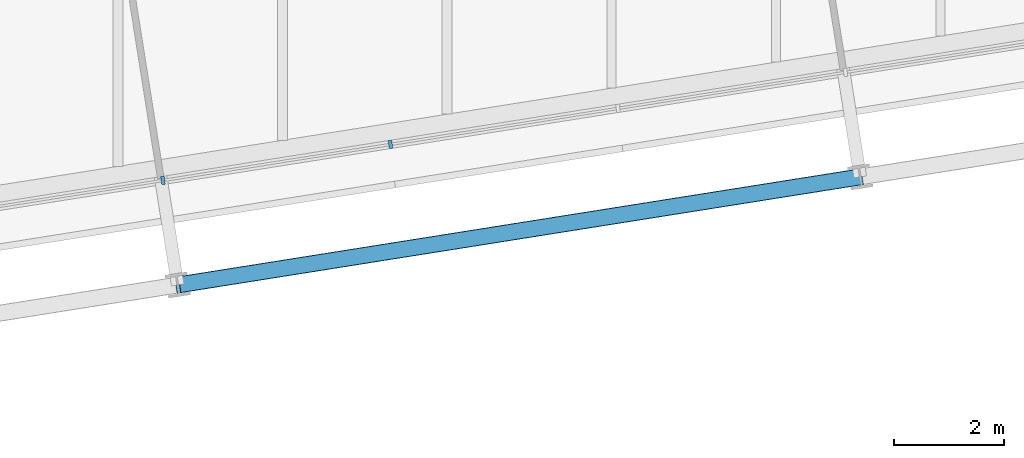
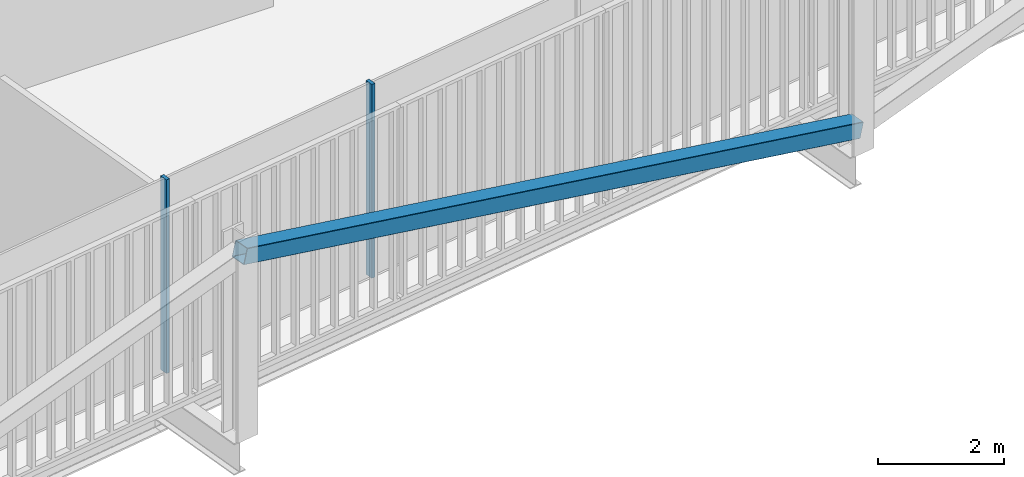
# One storey, part 3 of 21: 3 members, 1 element without a shape of its own.
"""IFC4 building model written with IfcOpenShell, lengths in metres."""

from ifc_helpers import new_model, si_unit, direction, frame, origin, origin_2d, place, context, subcontext, project, spatial, rectangle, hollow_rectangle, extrude, material, layer, layer_set, material_profile, profile_set, type_object, element, aggregate, save


model = new_model("IFC4")

# Units and contexts
model_context = context("Model", 3, precision=1e-05, world=origin(), true_north=direction((0.0, 1.0)))
body_context = subcontext(model_context, "Body", "Model", "MODEL_VIEW")
ifc_project = project(units=[si_unit("LENGTHUNIT", "METRE"), si_unit("AREAUNIT", "SQUARE_METRE"), si_unit("VOLUMEUNIT", "CUBIC_METRE"), si_unit("PLANEANGLEUNIT", "RADIAN"), si_unit("MASSUNIT", "GRAM", prefix="KILO")], contexts=[model_context])

# Site, building, storey
site_placement = place(None, origin())
site = spatial("IfcSite", under=ifc_project, at=site_placement, CompositionType="ELEMENT")
building_placement = place(site_placement, origin())
building = spatial("IfcBuilding", under=site, at=building_placement, Name="Millrace Tower", CompositionType="ELEMENT")
storey_placement = place(building_placement, frame((0.0, 0.0, 263.0)))
storey = spatial("IfcBuildingStorey", under=building, at=storey_placement, Name="L60", CompositionType="ELEMENT", Elevation=263.0)

# Curtain wall, members
ifc_material_1 = material(Name="Aluminium and glass", Category="aluminium")
ifc_layer = layer(ifc_material_1, 0.14990234375)
ifc_layer_set = layer_set([ifc_layer], Name="Aluminium and glass")
curtain_wall_type = type_object("IfcCurtainWallType", Name="CW-1 office vision curtain wall", PredefinedType="NOTDEFINED", material=ifc_layer_set)
curtain_wall_placement = place(storey_placement, origin())
curtain_wall = element("IfcCurtainWall", 1, at=curtain_wall_placement, inside=storey, type_object=curtain_wall_type, Name="Curtain wall D-F02 L60", PredefinedType="NOTDEFINED")
ifc_material_2 = material(Name="Aluminium", Category="aluminium")
ifc_material_profile_1 = material_profile(ifc_material_2, rectangle(XDim=0.06494140625, YDim=0.14990234375, at=origin_2d()))
ifc_profile_set_1 = profile_set([ifc_material_profile_1], Name="Aluminium")
member_type_1 = type_object("IfcMemberType", Name="CW-1 office vision curtain wall mullion", PredefinedType="MULLION", material=ifc_profile_set_1)
member_1_placement = place(storey_placement, frame((-5.1806640625, -19.021240234375, 0.139892578125), z_axis=(0.0, 0.0, 1.0), x_axis=(0.987688339511, 0.156434471884, 0.0)))
member_1 = element("IfcMember", 2, at=member_1_placement, type_object=member_type_1, Name="CW1 mullion D-F02.4", PredefinedType="MULLION", context=body_context, shape_type="SweptSolid", body=[
    extrude(rectangle(XDim=0.06494140625, YDim=0.14990234375, at=origin_2d()), origin(), (0.0, 0.0, 1.0), 3.760009765625),
])
member_2_placement = place(storey_placement, frame((-1.0322265625, -18.3642578125, 0.139892578125), z_axis=(0.0, 0.0, 1.0), x_axis=(0.987688339511, 0.156434471884, 0.0)))
member_2 = element("IfcMember", 3, at=member_2_placement, type_object=member_type_1, Name="CW1 mullion D-F02.5", PredefinedType="MULLION", context=body_context, shape_type="SweptSolid", body=[
    extrude(rectangle(XDim=0.06494140625, YDim=0.14990234375, at=origin_2d()), origin(), (0.0, 0.0, 1.0), 3.760009765625),
])
aggregate(curtain_wall, [member_1, member_2])

# Member
ifc_material_3 = material(Name="Steel ASTM A500 Grade C", Category="steel")
ifc_material_profile_2 = material_profile(ifc_material_3, hollow_rectangle(XDim=0.3046875, YDim=0.3046875, WallThickness=0.009521484375, InnerFilletRadius=0.004638671875, OuterFilletRadius=0.014404296875, at=origin_2d()))
ifc_profile_set_2 = profile_set([ifc_material_profile_2], Name="Steel ASTM A500 Grade C")
member_type_2 = type_object("IfcMemberType", Name="Exoskeleton brace HSS12x12x3/8", PredefinedType="BRACE", material=ifc_profile_set_2)
member_3_placement = place(storey_placement, frame((7.533203125, -18.956787109375, 0.39990234375), z_axis=(-0.959086646493, -0.151895211228, 0.23891556945), x_axis=(0.156425232058, -0.987689802912, 0.0)))
element("IfcMember", 4, at=member_3_placement, inside=storey, type_object=member_type_2, Name="BRC-D-L60-03", PredefinedType="BRACE", context=body_context, shape_type="SweptSolid", body=[
    extrude(hollow_rectangle(XDim=0.3046875, YDim=0.3046875, WallThickness=0.009521484375, InnerFilletRadius=0.004638671875, OuterFilletRadius=0.014404296875, at=origin_2d()), origin(), (0.0, 0.0, 1.0), 12.9755859375),
])

save(model, "model.ifc")
